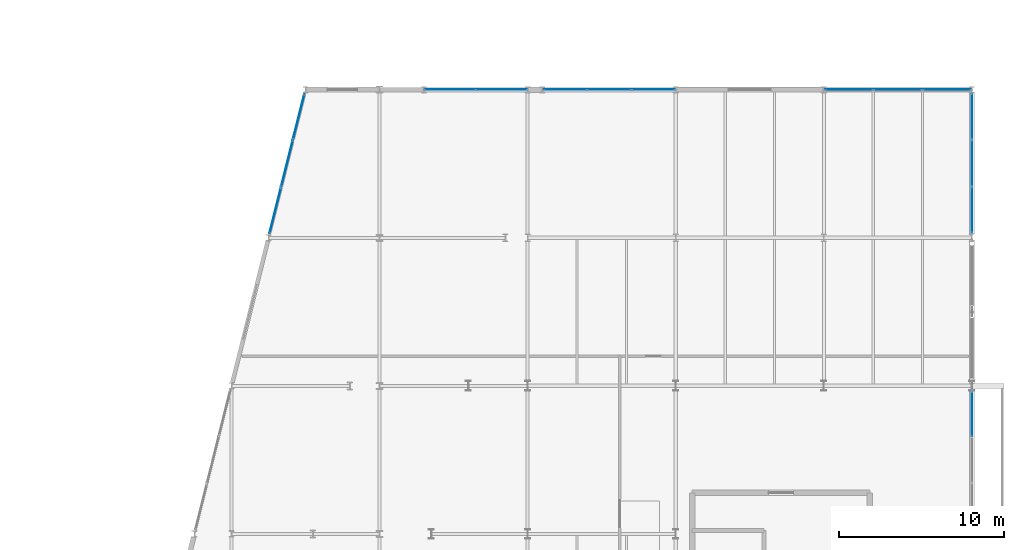
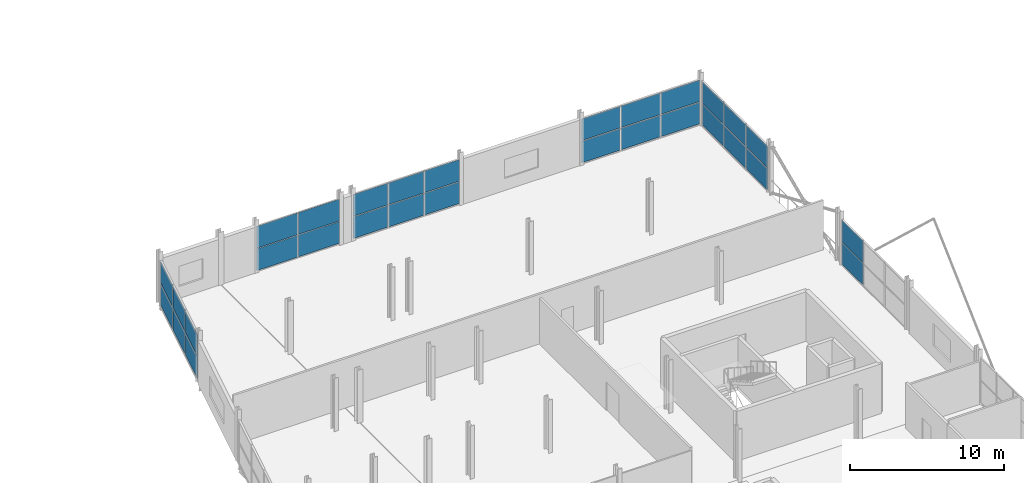
# One storey, part 74 of 103: 30 plates, 6 elements without a shape of their own.
"""IFC4 building model written with IfcOpenShell, lengths in metres."""

from ifc_helpers import new_model, si_unit, direction, frame, origin, origin_2d, place, context, subcontext, project, spatial, rectangle, extrude, material, layer, layer_set, type_object, element, aggregate, save


model = new_model("IFC4")

# Units and contexts
model_context = context("Model", 3, precision=1e-05, world=origin(), true_north=direction((0.0, 1.0)))
body_context = subcontext(model_context, "Body", "Model", "MODEL_VIEW")
ifc_project = project(units=[si_unit("LENGTHUNIT", "METRE"), si_unit("AREAUNIT", "SQUARE_METRE"), si_unit("VOLUMEUNIT", "CUBIC_METRE"), si_unit("PLANEANGLEUNIT", "RADIAN"), si_unit("MASSUNIT", "GRAM", prefix="KILO")], contexts=[model_context])

# Site, building, storey
site_placement = place(None, origin())
site = spatial("IfcSite", under=ifc_project, at=site_placement, CompositionType="ELEMENT")
building_placement = place(site_placement, origin())
building = spatial("IfcBuilding", under=site, at=building_placement, Name="Deido Ridge Mobility Hub", CompositionType="ELEMENT")
storey_placement = place(building_placement, frame((0.0, 0.0, 12.60009765625)))
storey = spatial("IfcBuildingStorey", under=building, at=storey_placement, Name="L03", CompositionType="ELEMENT", Elevation=12.60009765625)

# Curtain wall, plates
ifc_material_1 = material(Name="Anodised aluminium EN AW-6063 T6", Category="aluminium")
ifc_layer_1 = layer(ifc_material_1, 0.14404296875, Name="Anodised aluminium EN AW-6063 T6")
ifc_layer_set_1 = layer_set([ifc_layer_1], Name="Anodised aluminium EN AW-6063 T6")
curtain_wall_type_1 = type_object("IfcCurtainWallType", Name="CW-GS-2", PredefinedType="USERDEFINED", material=ifc_layer_set_1)
curtain_wall_1_placement = place(storey_placement, origin())
curtain_wall_1 = element("IfcCurtainWall", 1, at=curtain_wall_1_placement, inside=storey, type_object=curtain_wall_type_1, Name="Unitised curtain wall GS2", ObjectType="GLAZED SCREEN", PredefinedType="USERDEFINED")
ifc_material_2 = material(Name="Laminated solar-control low-E glass", Category="glass")
ifc_layer_2 = layer(ifc_material_2, 0.02587890625, Name="Laminated solar-control low-E glass")
ifc_layer_set_2 = layer_set([ifc_layer_2], Name="Laminated solar-control low-E glass")
plate_type_1 = type_object("IfcPlateType", Name="PLT-CWP-26", PredefinedType="CURTAIN_PANEL", material=ifc_layer_set_2)
plate_1_placement = place(storey_placement, frame((148.29052734375, 72.0, 0.0498046875), z_axis=(0.0, 0.0, 1.0), x_axis=(1.0, 0.0, 0.0)))
plate_1 = element("IfcPlate", 2, at=plate_1_placement, type_object=plate_type_1, Name="GS2 panel 1.1", PredefinedType="CURTAIN_PANEL", context=body_context, shape_type="SweptSolid", body=[
    extrude(rectangle(XDim=3.06884765625, YDim=0.02587890625, at=origin_2d()), origin(), (0.0, 0.0, 1.0), 1.72509765625),
])
plate_2_placement = place(storey_placement, frame((148.29052734375, 72.0, 1.824951171875), z_axis=(0.0, 0.0, 1.0), x_axis=(1.0, 0.0, 0.0)))
plate_2 = element("IfcPlate", 3, at=plate_2_placement, type_object=plate_type_1, Name="GS2 panel 1.2", PredefinedType="CURTAIN_PANEL", context=body_context, shape_type="SweptSolid", body=[
    extrude(rectangle(XDim=3.06884765625, YDim=0.02587890625, at=origin_2d()), origin(), (0.0, 0.0, 1.0), 1.72509765625),
])
plate_3_placement = place(storey_placement, frame((151.409423828125, 72.0, 0.0498046875), z_axis=(0.0, 0.0, 1.0), x_axis=(1.0, 0.0, 0.0)))
plate_3 = element("IfcPlate", 4, at=plate_3_placement, type_object=plate_type_1, Name="GS2 panel 2.1", PredefinedType="CURTAIN_PANEL", context=body_context, shape_type="SweptSolid", body=[
    extrude(rectangle(XDim=3.06884765625, YDim=0.02587890625, at=origin_2d()), origin(), (0.0, 0.0, 1.0), 1.72509765625),
])
plate_4_placement = place(storey_placement, frame((151.409423828125, 72.0, 1.824951171875), z_axis=(0.0, 0.0, 1.0), x_axis=(1.0, 0.0, 0.0)))
plate_4 = element("IfcPlate", 5, at=plate_4_placement, type_object=plate_type_1, Name="GS2 panel 2.2", PredefinedType="CURTAIN_PANEL", context=body_context, shape_type="SweptSolid", body=[
    extrude(rectangle(XDim=3.06884765625, YDim=0.02587890625, at=origin_2d()), origin(), (0.0, 0.0, 1.0), 1.72509765625),
])
aggregate(curtain_wall_1, [plate_1, plate_2, plate_3, plate_4])

ifc_layer_3 = layer(ifc_material_1, 0.195068359375, Name="Anodised aluminium EN AW-6063 T6")
ifc_layer_set_3 = layer_set([ifc_layer_3], Name="Anodised aluminium EN AW-6063 T6")
curtain_wall_type_2 = type_object("IfcCurtainWallType", Name="CW-UF-3", PredefinedType="USERDEFINED", material=ifc_layer_set_3)
curtain_wall_2_placement = place(storey_placement, origin())
curtain_wall_2 = element("IfcCurtainWall", 6, at=curtain_wall_2_placement, inside=storey, type_object=curtain_wall_type_2, Name="Unitised curtain wall CW3", ObjectType="UNITISED FACADE", PredefinedType="USERDEFINED")
ifc_layer_4 = layer(ifc_material_2, 0.031005859375, Name="Laminated solar-control low-E glass")
ifc_layer_set_4 = layer_set([ifc_layer_4], Name="Laminated solar-control low-E glass")
plate_type_2 = type_object("IfcPlateType", Name="PLT-CWP-31", PredefinedType="CURTAIN_PANEL", material=ifc_layer_set_4)
plate_5_placement = place(storey_placement, frame((180.0, 52.284912109375, 0.059814453125), z_axis=(0.0, 0.0, 1.0), x_axis=(0.0, 1.0, 0.0)))
plate_5 = element("IfcPlate", 7, at=plate_5_placement, type_object=plate_type_2, Name="CW3 panel 3.1", PredefinedType="CURTAIN_PANEL", context=body_context, shape_type="SweptSolid", body=[
    extrude(rectangle(XDim=2.7099609375, YDim=0.031005859375, at=origin_2d()), origin(), (0.0, 0.0, 1.0), 1.7099609375),
])
plate_6_placement = place(storey_placement, frame((180.0, 52.284912109375, 1.829833984375), z_axis=(0.0, 0.0, 1.0), x_axis=(0.0, 1.0, 0.0)))
plate_6 = element("IfcPlate", 8, at=plate_6_placement, type_object=plate_type_2, Name="CW3 panel 3.2", PredefinedType="CURTAIN_PANEL", context=body_context, shape_type="SweptSolid", body=[
    extrude(rectangle(XDim=2.7099609375, YDim=0.031005859375, at=origin_2d()), origin(), (0.0, 0.0, 1.0), 1.7099609375),
])
aggregate(curtain_wall_2, [plate_5, plate_6])

ifc_layer_5 = layer(ifc_material_1, 0.16796875, Name="Anodised aluminium EN AW-6063 T6")
ifc_layer_set_5 = layer_set([ifc_layer_5], Name="Anodised aluminium EN AW-6063 T6")
curtain_wall_type_3 = type_object("IfcCurtainWallType", Name="CW-GS-4", PredefinedType="USERDEFINED", material=ifc_layer_set_5)
curtain_wall_3_placement = place(storey_placement, origin())
curtain_wall_3 = element("IfcCurtainWall", 9, at=curtain_wall_3_placement, inside=storey, type_object=curtain_wall_type_3, Name="Unitised curtain wall GS4", ObjectType="GLAZED SCREEN", PredefinedType="USERDEFINED")
plate_7_placement = place(storey_placement, frame((155.26904296875, 72.0, 0.059814453125), z_axis=(0.0, 0.0, 1.0), x_axis=(1.0, 0.0, 0.0)))
plate_7 = element("IfcPlate", 10, at=plate_7_placement, type_object=plate_type_2, Name="GS4 panel 1.1", PredefinedType="CURTAIN_PANEL", context=body_context, shape_type="SweptSolid", body=[
    extrude(rectangle(XDim=2.60595703125, YDim=0.031005859375, at=origin_2d()), origin(), (0.0, 0.0, 1.0), 1.7099609375),
])
plate_8_placement = place(storey_placement, frame((155.26904296875, 72.0, 1.829833984375), z_axis=(0.0, 0.0, 1.0), x_axis=(1.0, 0.0, 0.0)))
plate_8 = element("IfcPlate", 11, at=plate_8_placement, type_object=plate_type_2, Name="GS4 panel 1.2", PredefinedType="CURTAIN_PANEL", context=body_context, shape_type="SweptSolid", body=[
    extrude(rectangle(XDim=2.60595703125, YDim=0.031005859375, at=origin_2d()), origin(), (0.0, 0.0, 1.0), 1.7099609375),
])
plate_9_placement = place(storey_placement, frame((157.949951171875, 72.0, 0.059814453125), z_axis=(0.0, 0.0, 1.0), x_axis=(1.0, 0.0, 0.0)))
plate_9 = element("IfcPlate", 12, at=plate_9_placement, type_object=plate_type_2, Name="GS4 panel 2.1", PredefinedType="CURTAIN_PANEL", context=body_context, shape_type="SweptSolid", body=[
    extrude(rectangle(XDim=2.635986328125, YDim=0.031005859375, at=origin_2d()), origin(), (0.0, 0.0, 1.0), 1.7099609375),
])
plate_10_placement = place(storey_placement, frame((157.949951171875, 72.0, 1.829833984375), z_axis=(0.0, 0.0, 1.0), x_axis=(1.0, 0.0, 0.0)))
plate_10 = element("IfcPlate", 13, at=plate_10_placement, type_object=plate_type_2, Name="GS4 panel 2.2", PredefinedType="CURTAIN_PANEL", context=body_context, shape_type="SweptSolid", body=[
    extrude(rectangle(XDim=2.635986328125, YDim=0.031005859375, at=origin_2d()), origin(), (0.0, 0.0, 1.0), 1.7099609375),
])
plate_11_placement = place(storey_placement, frame((160.630859375, 72.0, 0.059814453125), z_axis=(0.0, 0.0, 1.0), x_axis=(1.0, 0.0, 0.0)))
plate_11 = element("IfcPlate", 14, at=plate_11_placement, type_object=plate_type_2, Name="GS4 panel 3.1", PredefinedType="CURTAIN_PANEL", context=body_context, shape_type="SweptSolid", body=[
    extrude(rectangle(XDim=2.60595703125, YDim=0.031005859375, at=origin_2d()), origin(), (0.0, 0.0, 1.0), 1.7099609375),
])
plate_12_placement = place(storey_placement, frame((160.630859375, 72.0, 1.829833984375), z_axis=(0.0, 0.0, 1.0), x_axis=(1.0, 0.0, 0.0)))
plate_12 = element("IfcPlate", 15, at=plate_12_placement, type_object=plate_type_2, Name="GS4 panel 3.2", PredefinedType="CURTAIN_PANEL", context=body_context, shape_type="SweptSolid", body=[
    extrude(rectangle(XDim=2.60595703125, YDim=0.031005859375, at=origin_2d()), origin(), (0.0, 0.0, 1.0), 1.7099609375),
])
aggregate(curtain_wall_3, [plate_7, plate_8, plate_9, plate_10, plate_11, plate_12])

ifc_layer_6 = layer(ifc_material_1, 0.22509765625, Name="Anodised aluminium EN AW-6063 T6")
ifc_layer_set_6 = layer_set([ifc_layer_6], Name="Anodised aluminium EN AW-6063 T6")
curtain_wall_type_4 = type_object("IfcCurtainWallType", Name="CW-UF-5", PredefinedType="USERDEFINED", material=ifc_layer_set_6)
curtain_wall_4_placement = place(storey_placement, origin())
curtain_wall_4 = element("IfcCurtainWall", 16, at=curtain_wall_4_placement, inside=storey, type_object=curtain_wall_type_4, Name="Unitised curtain wall CW5", ObjectType="UNITISED FACADE", PredefinedType="USERDEFINED")
ifc_layer_7 = layer(ifc_material_2, 0.034912109375, Name="Laminated solar-control low-E glass")
ifc_layer_set_7 = layer_set([ifc_layer_7], Name="Laminated solar-control low-E glass")
plate_type_3 = type_object("IfcPlateType", Name="PLT-CWP-35", PredefinedType="CURTAIN_PANEL", material=ifc_layer_set_7)
plate_13_placement = place(storey_placement, frame((180.0, 64.675048828125, 0.06982421875), z_axis=(0.0, 0.0, 1.0), x_axis=(0.0, 1.0, 0.0)))
plate_13 = element("IfcPlate", 17, at=plate_13_placement, type_object=plate_type_3, Name="CW5 panel 1.1", PredefinedType="CURTAIN_PANEL", context=body_context, shape_type="SweptSolid", body=[
    extrude(rectangle(XDim=2.760009765625, YDim=0.034912109375, at=origin_2d()), origin(), (0.0, 0.0, 1.0), 1.695068359375),
])
plate_14_placement = place(storey_placement, frame((180.0, 64.675048828125, 1.8349609375), z_axis=(0.0, 0.0, 1.0), x_axis=(0.0, 1.0, 0.0)))
plate_14 = element("IfcPlate", 18, at=plate_14_placement, type_object=plate_type_3, Name="CW5 panel 1.2", PredefinedType="CURTAIN_PANEL", context=body_context, shape_type="SweptSolid", body=[
    extrude(rectangle(XDim=2.760009765625, YDim=0.034912109375, at=origin_2d()), origin(), (0.0, 0.0, 1.0), 1.695068359375),
])
plate_15_placement = place(storey_placement, frame((180.0, 67.5224609375, 0.06982421875), z_axis=(0.0, 0.0, 1.0), x_axis=(0.0, 1.0, 0.0)))
plate_15 = element("IfcPlate", 19, at=plate_15_placement, type_object=plate_type_3, Name="CW5 panel 2.1", PredefinedType="CURTAIN_PANEL", context=body_context, shape_type="SweptSolid", body=[
    extrude(rectangle(XDim=2.794921875, YDim=0.034912109375, at=origin_2d()), origin(), (0.0, 0.0, 1.0), 1.695068359375),
])
plate_16_placement = place(storey_placement, frame((180.0, 67.5224609375, 1.8349609375), z_axis=(0.0, 0.0, 1.0), x_axis=(0.0, 1.0, 0.0)))
plate_16 = element("IfcPlate", 20, at=plate_16_placement, type_object=plate_type_3, Name="CW5 panel 2.2", PredefinedType="CURTAIN_PANEL", context=body_context, shape_type="SweptSolid", body=[
    extrude(rectangle(XDim=2.794921875, YDim=0.034912109375, at=origin_2d()), origin(), (0.0, 0.0, 1.0), 1.695068359375),
])
plate_17_placement = place(storey_placement, frame((180.0, 70.3701171875, 0.06982421875), z_axis=(0.0, 0.0, 1.0), x_axis=(0.0, 1.0, 0.0)))
plate_17 = element("IfcPlate", 21, at=plate_17_placement, type_object=plate_type_3, Name="CW5 panel 3.1", PredefinedType="CURTAIN_PANEL", context=body_context, shape_type="SweptSolid", body=[
    extrude(rectangle(XDim=2.760009765625, YDim=0.034912109375, at=origin_2d()), origin(), (0.0, 0.0, 1.0), 1.695068359375),
])
plate_18_placement = place(storey_placement, frame((180.0, 70.3701171875, 1.8349609375), z_axis=(0.0, 0.0, 1.0), x_axis=(0.0, 1.0, 0.0)))
plate_18 = element("IfcPlate", 22, at=plate_18_placement, type_object=plate_type_3, Name="CW5 panel 3.2", PredefinedType="CURTAIN_PANEL", context=body_context, shape_type="SweptSolid", body=[
    extrude(rectangle(XDim=2.760009765625, YDim=0.034912109375, at=origin_2d()), origin(), (0.0, 0.0, 1.0), 1.695068359375),
])
aggregate(curtain_wall_4, [plate_13, plate_14, plate_15, plate_16, plate_17, plate_18])

curtain_wall_5_placement = place(storey_placement, origin())
curtain_wall_5 = element("IfcCurtainWall", 23, at=curtain_wall_5_placement, inside=storey, type_object=curtain_wall_type_1, Name="Unitised curtain wall GS2", ObjectType="GLAZED SCREEN", PredefinedType="USERDEFINED")
plate_19_placement = place(storey_placement, frame((172.521728515625, 72.0, 0.06982421875), z_axis=(0.0, 0.0, 1.0), x_axis=(1.0, 0.0, 0.0)))
plate_19 = element("IfcPlate", 24, at=plate_19_placement, type_object=plate_type_3, Name="GS2 panel 1.1", PredefinedType="CURTAIN_PANEL", context=body_context, shape_type="SweptSolid", body=[
    extrude(rectangle(XDim=2.890869140625, YDim=0.034912109375, at=origin_2d()), origin(), (0.0, 0.0, 1.0), 1.695068359375),
])
plate_20_placement = place(storey_placement, frame((172.521728515625, 72.0, 1.8349609375), z_axis=(0.0, 0.0, 1.0), x_axis=(1.0, 0.0, 0.0)))
plate_20 = element("IfcPlate", 25, at=plate_20_placement, type_object=plate_type_3, Name="GS2 panel 1.2", PredefinedType="CURTAIN_PANEL", context=body_context, shape_type="SweptSolid", body=[
    extrude(rectangle(XDim=2.890869140625, YDim=0.034912109375, at=origin_2d()), origin(), (0.0, 0.0, 1.0), 1.695068359375),
])
plate_21_placement = place(storey_placement, frame((175.5, 72.0, 0.06982421875), z_axis=(0.0, 0.0, 1.0), x_axis=(1.0, 0.0, 0.0)))
plate_21 = element("IfcPlate", 26, at=plate_21_placement, type_object=plate_type_3, Name="GS2 panel 2.1", PredefinedType="CURTAIN_PANEL", context=body_context, shape_type="SweptSolid", body=[
    extrude(rectangle(XDim=2.92578125, YDim=0.034912109375, at=origin_2d()), origin(), (0.0, 0.0, 1.0), 1.695068359375),
])
plate_22_placement = place(storey_placement, frame((175.5, 72.0, 1.8349609375), z_axis=(0.0, 0.0, 1.0), x_axis=(1.0, 0.0, 0.0)))
plate_22 = element("IfcPlate", 27, at=plate_22_placement, type_object=plate_type_3, Name="GS2 panel 2.2", PredefinedType="CURTAIN_PANEL", context=body_context, shape_type="SweptSolid", body=[
    extrude(rectangle(XDim=2.92578125, YDim=0.034912109375, at=origin_2d()), origin(), (0.0, 0.0, 1.0), 1.695068359375),
])
plate_23_placement = place(storey_placement, frame((178.478271484375, 72.0, 0.06982421875), z_axis=(0.0, 0.0, 1.0), x_axis=(1.0, 0.0, 0.0)))
plate_23 = element("IfcPlate", 28, at=plate_23_placement, type_object=plate_type_3, Name="GS2 panel 3.1", PredefinedType="CURTAIN_PANEL", context=body_context, shape_type="SweptSolid", body=[
    extrude(rectangle(XDim=2.890869140625, YDim=0.034912109375, at=origin_2d()), origin(), (0.0, 0.0, 1.0), 1.695068359375),
])
plate_24_placement = place(storey_placement, frame((178.478271484375, 72.0, 1.8349609375), z_axis=(0.0, 0.0, 1.0), x_axis=(1.0, 0.0, 0.0)))
plate_24 = element("IfcPlate", 29, at=plate_24_placement, type_object=plate_type_3, Name="GS2 panel 3.2", PredefinedType="CURTAIN_PANEL", context=body_context, shape_type="SweptSolid", body=[
    extrude(rectangle(XDim=2.890869140625, YDim=0.034912109375, at=origin_2d()), origin(), (0.0, 0.0, 1.0), 1.695068359375),
])
aggregate(curtain_wall_5, [plate_19, plate_20, plate_21, plate_22, plate_23, plate_24])

ifc_layer_8 = layer(ifc_material_1, 0.27001953125, Name="Anodised aluminium EN AW-6063 T6")
ifc_layer_set_8 = layer_set([ifc_layer_8], Name="Anodised aluminium EN AW-6063 T6")
curtain_wall_type_5 = type_object("IfcCurtainWallType", Name="CW-UF-8", PredefinedType="USERDEFINED", material=ifc_layer_set_8)
curtain_wall_6_placement = place(storey_placement, origin())
curtain_wall_6 = element("IfcCurtainWall", 30, at=curtain_wall_6_placement, inside=storey, type_object=curtain_wall_type_5, Name="Unitised curtain wall CW8", ObjectType="UNITISED FACADE", PredefinedType="USERDEFINED")
ifc_layer_9 = layer(ifc_material_2, 0.0390625, Name="Laminated solar-control low-E glass")
ifc_layer_set_9 = layer_set([ifc_layer_9], Name="Laminated solar-control low-E glass")
plate_type_4 = type_object("IfcPlateType", Name="PLT-CWP-39", PredefinedType="CURTAIN_PANEL", material=ifc_layer_set_9)
plate_25_placement = place(storey_placement, frame((137.6640625, 64.65576171875, 0.080078125), z_axis=(0.0, 0.0, 1.0), x_axis=(0.242530310632, 0.970143828731, 0.0)))
plate_25 = element("IfcPlate", 31, at=plate_25_placement, type_object=plate_type_4, Name="CW8 panel 1.1", PredefinedType="CURTAIN_PANEL", context=body_context, shape_type="SweptSolid", body=[
    extrude(rectangle(XDim=2.83154296875, YDim=0.0390625, at=origin_2d()), origin(), (0.0, 0.0, 1.0), 1.679931640625),
])
plate_26_placement = place(storey_placement, frame((137.6640625, 64.65576171875, 1.83984375), z_axis=(0.0, 0.0, 1.0), x_axis=(0.242530310632, 0.970143828731, 0.0)))
plate_26 = element("IfcPlate", 32, at=plate_26_placement, type_object=plate_type_4, Name="CW8 panel 1.2", PredefinedType="CURTAIN_PANEL", context=body_context, shape_type="SweptSolid", body=[
    extrude(rectangle(XDim=2.83154296875, YDim=0.0390625, at=origin_2d()), origin(), (0.0, 0.0, 1.0), 1.679931640625),
])
plate_27_placement = place(storey_placement, frame((138.375, 67.5, 0.080078125), z_axis=(0.0, 0.0, 1.0), x_axis=(0.242530310632, 0.970143828731, 0.0)))
plate_27 = element("IfcPlate", 33, at=plate_27_placement, type_object=plate_type_4, Name="CW8 panel 2.1", PredefinedType="CURTAIN_PANEL", context=body_context, shape_type="SweptSolid", body=[
    extrude(rectangle(XDim=2.87158203125, YDim=0.0390625, at=origin_2d()), origin(), (0.0, 0.0, 1.0), 1.679931640625),
])
plate_28_placement = place(storey_placement, frame((138.375, 67.5, 1.83984375), z_axis=(0.0, 0.0, 1.0), x_axis=(0.242530310632, 0.970143828731, 0.0)))
plate_28 = element("IfcPlate", 34, at=plate_28_placement, type_object=plate_type_4, Name="CW8 panel 2.2", PredefinedType="CURTAIN_PANEL", context=body_context, shape_type="SweptSolid", body=[
    extrude(rectangle(XDim=2.87158203125, YDim=0.0390625, at=origin_2d()), origin(), (0.0, 0.0, 1.0), 1.679931640625),
])
plate_29_placement = place(storey_placement, frame((139.0859375, 70.34423828125, 0.080078125), z_axis=(0.0, 0.0, 1.0), x_axis=(0.242530310632, 0.970143828731, 0.0)))
plate_29 = element("IfcPlate", 35, at=plate_29_placement, type_object=plate_type_4, Name="CW8 panel 3.1", PredefinedType="CURTAIN_PANEL", context=body_context, shape_type="SweptSolid", body=[
    extrude(rectangle(XDim=2.83154296875, YDim=0.0390625, at=origin_2d()), origin(), (0.0, 0.0, 1.0), 1.679931640625),
])
plate_30_placement = place(storey_placement, frame((139.0859375, 70.34423828125, 1.83984375), z_axis=(0.0, 0.0, 1.0), x_axis=(0.242530310632, 0.970143828731, 0.0)))
plate_30 = element("IfcPlate", 36, at=plate_30_placement, type_object=plate_type_4, Name="CW8 panel 3.2", PredefinedType="CURTAIN_PANEL", context=body_context, shape_type="SweptSolid", body=[
    extrude(rectangle(XDim=2.83154296875, YDim=0.0390625, at=origin_2d()), origin(), (0.0, 0.0, 1.0), 1.679931640625),
])
aggregate(curtain_wall_6, [plate_25, plate_26, plate_27, plate_28, plate_29, plate_30])

save(model, "model.ifc")
